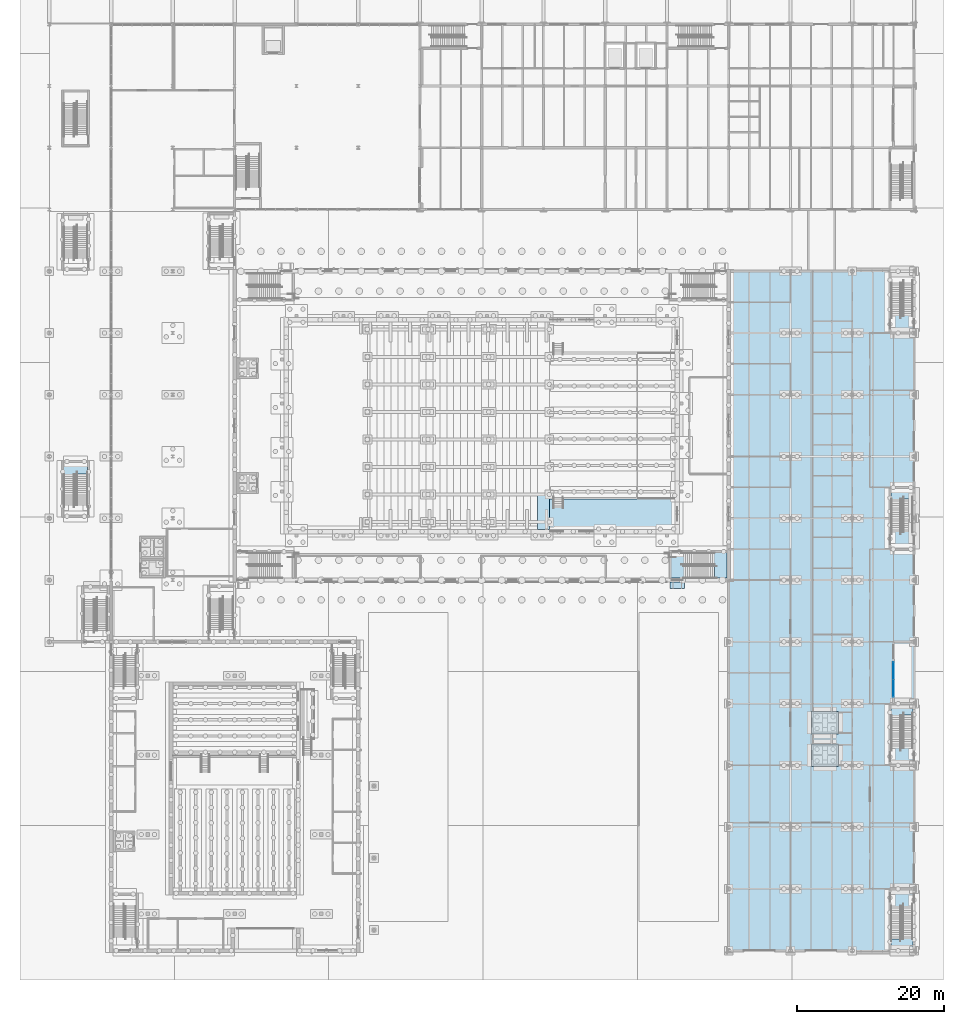
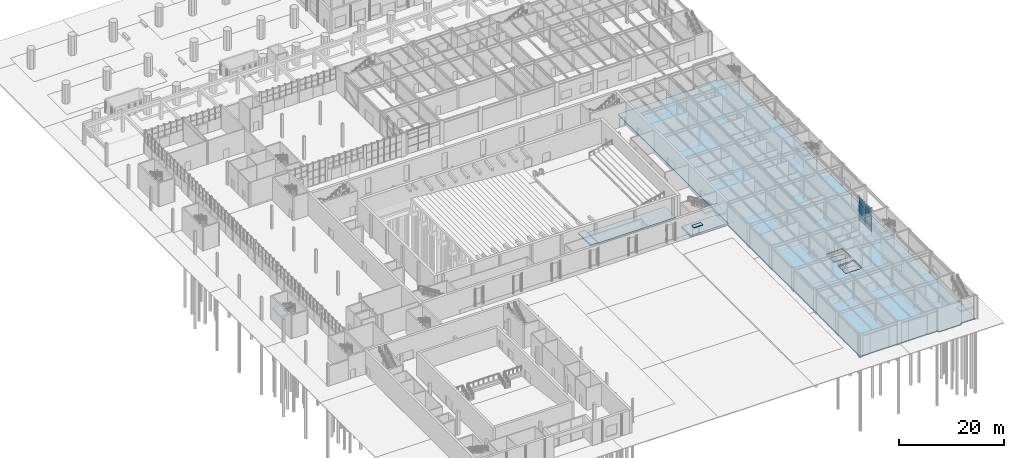
# One storey, part 48 of 127: 12 slabs, 6 plates, 6 elements without a shape of their own.
"""IFC4 building model written with IfcOpenShell, lengths in metres."""

from ifc_helpers import new_model, si_unit, direction, frame, origin, origin_2d, place, context, subcontext, project, spatial, polyline, rectangle, outline, extrude, material, layer, layer_set, type_object, element, aggregate, save


model = new_model("IFC4")

# Units and contexts
model_context = context("Model", 3, precision=1e-05, world=origin(), true_north=direction((0.0, 1.0)))
body_context = subcontext(model_context, "Body", "Model", "MODEL_VIEW")
ifc_project = project(units=[si_unit("LENGTHUNIT", "METRE"), si_unit("AREAUNIT", "SQUARE_METRE"), si_unit("VOLUMEUNIT", "CUBIC_METRE"), si_unit("PLANEANGLEUNIT", "RADIAN"), si_unit("MASSUNIT", "GRAM", prefix="KILO")], contexts=[model_context])

# Site, building, storey
site_placement = place(None, origin())
site = spatial("IfcSite", under=ifc_project, at=site_placement, CompositionType="ELEMENT")
building_placement = place(site_placement, origin())
building = spatial("IfcBuilding", under=site, at=building_placement, Name="Ljudholm Concert House", CompositionType="ELEMENT")
storey_placement = place(building_placement, origin())
storey = spatial("IfcBuildingStorey", under=building, at=storey_placement, Name="L00", CompositionType="ELEMENT", Elevation=0.0)

# Slab
ifc_material_1 = material(Name="Aluminium extrusion with warm-tone PVDF finish", Category="aluminium")
ifc_layer_1 = layer(ifc_material_1, 0.1201171875)
ifc_layer_set_1 = layer_set([ifc_layer_1], Name="Aluminium extrusion with warm-tone PVDF finish")
slab_type_1 = type_object("IfcSlabType", Name="CANOPY SOFFIT SLAB 120", PredefinedType="ROOF", material=ifc_layer_set_1)
slab_1_placement = place(storey_placement, frame((0.0, 0.0, 2.60009765625)))
element("IfcSlab", 1, at=slab_1_placement, inside=storey, type_object=slab_type_1, Name="Exit canopy lip", PredefinedType="ROOF", context=body_context, shape_type="SweptSolid", body=[
    extrude(outline(polyline([(88.39990234375, 53.25), (90.39990234375, 53.25), (90.39990234375, 54.14990234375), (88.39990234375, 54.14990234375), (88.39990234375, 53.25)])), origin(), (0.0, 0.0, 1.0), 0.119873046875),
])

# Curtain wall, plates
ifc_material_2 = material(Name="Aluminium curtain wall with impact-rated laminated glass", Category="aluminium")
curtain_wall_type = type_object("IfcCurtainWallType", Name="CURTAIN WALL 2400", PredefinedType="NOTDEFINED", material=ifc_material_2)
curtain_wall_placement = place(storey_placement, origin())
curtain_wall = element("IfcCurtainWall", 2, at=curtain_wall_placement, inside=storey, type_object=curtain_wall_type, Name="Curtain wall", PredefinedType="NOTDEFINED")
ifc_material_3 = material(Name="Impact-rated laminated glass", Category="glass")
ifc_layer_2 = layer(ifc_material_3, 0.028076171875)
ifc_layer_set_2 = layer_set([ifc_layer_2], Name="Impact-rated laminated glass")
plate_type = type_object("IfcPlateType", Name="CURTAIN PANEL 28", PredefinedType="CURTAIN_PANEL", material=ifc_layer_set_2)
plate_1_placement = place(storey_placement, frame((118.800048828125, 39.715087890625, 0.06005859375), z_axis=(0.0, 0.0, 1.0), x_axis=(0.0, 1.0, 0.0)))
plate_1 = element("IfcPlate", 3, at=plate_1_placement, type_object=plate_type, Name="Curtain wall panel", PredefinedType="CURTAIN_PANEL", context=body_context, shape_type="SweptSolid", body=[
    extrude(rectangle(XDim=2.31005859375, YDim=0.028076171875, at=origin_2d()), origin(), (0.0, 0.0, 1.0), 1.7099609375),
])
plate_2_placement = place(storey_placement, frame((118.800048828125, 39.715087890625, 1.830078125), z_axis=(0.0, 0.0, 1.0), x_axis=(0.0, 1.0, 0.0)))
plate_2 = element("IfcPlate", 4, at=plate_2_placement, type_object=plate_type, Name="Curtain wall panel", PredefinedType="CURTAIN_PANEL", context=body_context, shape_type="SweptSolid", body=[
    extrude(rectangle(XDim=2.31005859375, YDim=0.028076171875, at=origin_2d()), origin(), (0.0, 0.0, 1.0), 1.739990234375),
])
plate_3_placement = place(storey_placement, frame((118.800048828125, 39.715087890625, 3.630126953125), z_axis=(0.0, 0.0, 1.0), x_axis=(0.0, 1.0, 0.0)))
plate_3 = element("IfcPlate", 5, at=plate_3_placement, type_object=plate_type, Name="Curtain wall panel", PredefinedType="CURTAIN_PANEL", context=body_context, shape_type="SweptSolid", body=[
    extrude(rectangle(XDim=2.31005859375, YDim=0.028076171875, at=origin_2d()), origin(), (0.0, 0.0, 1.0), 1.7099609375),
])
plate_4_placement = place(storey_placement, frame((118.800048828125, 42.0849609375, 0.06005859375), z_axis=(0.0, 0.0, 1.0), x_axis=(0.0, 1.0, 0.0)))
plate_4 = element("IfcPlate", 6, at=plate_4_placement, type_object=plate_type, Name="Curtain wall panel", PredefinedType="CURTAIN_PANEL", context=body_context, shape_type="SweptSolid", body=[
    extrude(rectangle(XDim=2.31005859375, YDim=0.028076171875, at=origin_2d()), origin(), (0.0, 0.0, 1.0), 1.7099609375),
])
plate_5_placement = place(storey_placement, frame((118.800048828125, 42.0849609375, 1.830078125), z_axis=(0.0, 0.0, 1.0), x_axis=(0.0, 1.0, 0.0)))
plate_5 = element("IfcPlate", 7, at=plate_5_placement, type_object=plate_type, Name="Curtain wall panel", PredefinedType="CURTAIN_PANEL", context=body_context, shape_type="SweptSolid", body=[
    extrude(rectangle(XDim=2.31005859375, YDim=0.028076171875, at=origin_2d()), origin(), (0.0, 0.0, 1.0), 1.739990234375),
])
plate_6_placement = place(storey_placement, frame((118.800048828125, 42.0849609375, 3.630126953125), z_axis=(0.0, 0.0, 1.0), x_axis=(0.0, 1.0, 0.0)))
plate_6 = element("IfcPlate", 8, at=plate_6_placement, type_object=plate_type, Name="Curtain wall panel", PredefinedType="CURTAIN_PANEL", context=body_context, shape_type="SweptSolid", body=[
    extrude(rectangle(XDim=2.31005859375, YDim=0.028076171875, at=origin_2d()), origin(), (0.0, 0.0, 1.0), 1.7099609375),
])
aggregate(curtain_wall, [plate_1, plate_2, plate_3, plate_4, plate_5, plate_6])

# Slabs
ifc_material_4 = material(Name="Concrete 5,000 psi", Category="concrete")
ifc_layer_3 = layer(ifc_material_4, 0.25)
ifc_layer_set_3 = layer_set([ifc_layer_3], Name="Concrete 5,000 psi")
slab_type_2 = type_object("IfcSlabType", Name="RC BASE SLAB 250", PredefinedType="BASESLAB", material=ifc_layer_set_3)
slab_2_placement = place(storey_placement, frame((0.0, 0.0, -0.25)))
element("IfcSlab", 9, at=slab_2_placement, inside=storey, type_object=slab_type_2, Name="Ground floor slab", PredefinedType="BASESLAB", context=body_context, shape_type="SweptSolid", body=[
    extrude(outline(polyline([(113.389892578125, 3.5703125), (113.389892578125, 4.0), (96.39990234375, 4.0), (96.39990234375, 54.39990234375), (96.64990234375, 54.39990234375), (96.64990234375, 96.39990234375), (113.389892578125, 96.39990234375), (113.389892578125, 96.82958984375), (118.324951171875, 96.82958984375), (118.324951171875, 96.39990234375), (121.60009765625, 96.39990234375), (121.60009765625, 4.0), (118.324951171875, 4.0), (118.324951171875, 3.5703125), (113.389892578125, 3.5703125)]), holes=[polyline([(107.675048828125, 29.074951171875), (111.324951171875, 29.074951171875), (111.324951171875, 32.125), (107.675048828125, 32.125), (107.675048828125, 29.074951171875)]), polyline([(107.675048828125, 33.47509765625), (111.324951171875, 33.47509765625), (111.324951171875, 36.52490234375), (107.675048828125, 36.52490234375), (107.675048828125, 33.47509765625)])]), origin(), (0.0, 0.0, 1.0), 0.25),
])
ifc_material_5 = material(Name="Concrete 5,000 psi", Category="concrete")
ifc_layer_4 = layer(ifc_material_5, 0.300048828125)
ifc_layer_set_4 = layer_set([ifc_layer_4], Name="Concrete 5,000 psi")
slab_type_3 = type_object("IfcSlabType", Name="RC BASE SLAB 300", PredefinedType="BASESLAB", material=ifc_layer_set_4)
slab_3_placement = place(storey_placement, frame((0.0, 0.0, -1.5)))
element("IfcSlab", 10, at=slab_3_placement, inside=storey, type_object=slab_type_3, Name="Lift pit slab", PredefinedType="BASESLAB", context=body_context, shape_type="SweptSolid", body=[
    extrude(outline(polyline([(107.675048828125, 29.074951171875), (111.324951171875, 29.074951171875), (111.324951171875, 32.125), (107.675048828125, 32.125), (107.675048828125, 29.074951171875)])), origin(), (0.0, 0.0, 1.0), 0.300048828125),
])
slab_4_placement = place(storey_placement, frame((0.0, 0.0, -1.5)))
element("IfcSlab", 11, at=slab_4_placement, inside=storey, type_object=slab_type_3, Name="Lift pit slab", PredefinedType="BASESLAB", context=body_context, shape_type="SweptSolid", body=[
    extrude(outline(polyline([(107.675048828125, 33.47509765625), (111.324951171875, 33.47509765625), (111.324951171875, 36.52490234375), (107.675048828125, 36.52490234375), (107.675048828125, 33.47509765625)])), origin(), (0.0, 0.0, 1.0), 0.300048828125),
])
ifc_material_6 = material(Name="Concrete 5,000 psi", Category="concrete")
ifc_layer_5 = layer(ifc_material_6, 0.5)
ifc_layer_set_5 = layer_set([ifc_layer_5], Name="Concrete 5,000 psi")
slab_type_4 = type_object("IfcSlabType", Name="RC BASE SLAB 500", PredefinedType="BASESLAB", material=ifc_layer_set_5)
slab_5_placement = place(storey_placement, frame((0.0, 0.0, -0.5)))
element("IfcSlab", 12, at=slab_5_placement, inside=storey, type_object=slab_type_4, Name="Stair floor on grade EH3", PredefinedType="BASESLAB", context=body_context, shape_type="SweptSolid", body=[
    extrude(outline(polyline([(88.550048828125, 54.64990234375), (96.14990234375, 54.64990234375), (96.14990234375, 58.14990234375), (88.550048828125, 58.14990234375), (88.550048828125, 54.64990234375)])), origin(), (0.0, 0.0, 1.0), 0.5),
])
ifc_material_7 = material(Name="Concrete 5,000 psi", Category="concrete")
ifc_layer_6 = layer(ifc_material_7, 0.300048828125)
ifc_layer_set_6 = layer_set([ifc_layer_6], Name="Concrete 5,000 psi")
slab_type_5 = type_object("IfcSlabType", Name="RC FLOOR SLAB 300", PredefinedType="FLOOR", material=ifc_layer_set_6)
slab_6_placement = place(storey_placement, frame((0.0, 0.0, -0.300048828125)))
element("IfcSlab", 13, at=slab_6_placement, inside=storey, type_object=slab_type_5, Name="Stage wing floor", PredefinedType="FLOOR", context=body_context, shape_type="SweptSolid", body=[
    extrude(outline(polyline([(72.0, 61.300048828125), (89.10009765625, 61.300048828125), (89.10009765625, 65.39990234375), (72.0, 65.39990234375), (72.0, 61.300048828125)])), origin(), (0.0, 0.0, 1.0), 0.300048828125),
])
slab_7_placement = place(storey_placement, frame((0.0, 0.0, -0.18359375)))
element("IfcSlab", 14, at=slab_7_placement, inside=storey, type_object=slab_type_5, Name="Wheelchair platform", PredefinedType="FLOOR", context=body_context, shape_type="SweptSolid", body=[
    extrude(outline(polyline([(70.39990234375, 61.300048828125), (72.0, 61.300048828125), (72.0, 66.10009765625), (70.39990234375, 66.10009765625), (70.39990234375, 61.300048828125)])), origin(), (0.0, 0.0, 1.0), 0.300048828125),
])

# Stair, slab
ifc_material_8 = material(Name="Concrete 5,000 psi", Category="concrete")
stair_type_1 = type_object("IfcStairType", Name="RC STAIR 1700x169x280", PredefinedType="HALF_TURN_STAIR", material=ifc_material_8)
stair_1_placement = place(storey_placement, origin())
stair_1 = element("IfcStair", 15, at=stair_1_placement, inside=storey, type_object=stair_type_1, Name="Exit stair EH3", PredefinedType="HALF_TURN_STAIR")
ifc_material_9 = material(Name="Concrete 5,000 psi", Category="concrete")
ifc_layer_7 = layer(ifc_material_9, 0.409912109375)
ifc_layer_set_7 = layer_set([ifc_layer_7], Name="Concrete 5,000 psi")
slab_type_6 = type_object("IfcSlabType", Name="RC LANDING 410", PredefinedType="LANDING", material=ifc_layer_set_7)
slab_8_placement = place(storey_placement, frame((0.0, 0.0, 2.2900390625)))
slab_8 = element("IfcSlab", 16, at=slab_8_placement, type_object=slab_type_6, Name="Stair landing", PredefinedType="LANDING", context=body_context, shape_type="SweptSolid", body=[
    extrude(outline(polyline([(92.6201171875, 58.14990234375), (92.6201171875, 56.449951171875), (94.449462890625, 56.449951171875), (94.449462890625, 54.64990234375), (96.14990234375, 54.64990234375), (96.14990234375, 58.14990234375), (92.6201171875, 58.14990234375)])), origin(), (0.0, 0.0, 1.0), 0.409912109375),
])
aggregate(stair_1, [slab_8])

ifc_material_10 = material(Name="Concrete 5,000 psi", Category="concrete")
stair_type_2 = type_object("IfcStairType", Name="RC STAIR 1350x169x300", PredefinedType="HALF_TURN_STAIR", material=ifc_material_10)
stair_2_placement = place(storey_placement, origin())
stair_2 = element("IfcStair", 17, at=stair_2_placement, inside=storey, type_object=stair_type_2, Name="Stair SB1", PredefinedType="HALF_TURN_STAIR")
slab_9_placement = place(storey_placement, frame((0.0, 0.0, 2.2900390625)))
slab_9 = element("IfcSlab", 18, at=slab_9_placement, type_object=slab_type_6, Name="Stair landing", PredefinedType="LANDING", context=body_context, shape_type="SweptSolid", body=[
    extrude(outline(polyline([(121.449951171875, 7.52490234375), (120.050048828125, 7.52490234375), (120.050048828125, 5.575439453125), (118.449951171875, 5.575439453125), (118.449951171875, 4.14990234375), (121.449951171875, 4.14990234375), (121.449951171875, 7.52490234375)])), origin(), (0.0, 0.0, 1.0), 0.409912109375),
])
aggregate(stair_2, [slab_9])

stair_3_placement = place(storey_placement, origin())
stair_3 = element("IfcStair", 19, at=stair_3_placement, inside=storey, type_object=stair_type_2, Name="Stair SB2", PredefinedType="HALF_TURN_STAIR")
slab_10_placement = place(storey_placement, frame((0.0, 0.0, 2.2900390625)))
slab_10 = element("IfcSlab", 20, at=slab_10_placement, type_object=slab_type_6, Name="Stair landing", PredefinedType="LANDING", context=body_context, shape_type="SweptSolid", body=[
    extrude(outline(polyline([(118.449951171875, 34.074951171875), (119.85009765625, 34.074951171875), (119.85009765625, 36.0244140625), (121.449951171875, 36.0244140625), (121.449951171875, 37.47509765625), (118.449951171875, 37.47509765625), (118.449951171875, 34.074951171875)])), origin(), (0.0, 0.0, 1.0), 0.409912109375),
])
aggregate(stair_3, [slab_10])

stair_4_placement = place(storey_placement, origin())
stair_4 = element("IfcStair", 21, at=stair_4_placement, inside=storey, type_object=stair_type_2, Name="Stair SB3", PredefinedType="HALF_TURN_STAIR")
slab_11_placement = place(storey_placement, frame((0.0, 0.0, 2.2900390625)))
slab_11 = element("IfcSlab", 22, at=slab_11_placement, type_object=slab_type_6, Name="Stair landing", PredefinedType="LANDING", context=body_context, shape_type="SweptSolid", body=[
    extrude(outline(polyline([(118.449951171875, 63.47509765625), (119.85009765625, 63.47509765625), (119.85009765625, 65.424560546875), (121.449951171875, 65.424560546875), (121.449951171875, 66.875), (118.449951171875, 66.875), (118.449951171875, 63.47509765625)])), origin(), (0.0, 0.0, 1.0), 0.409912109375),
])
aggregate(stair_4, [slab_11])

ifc_material_11 = material(Name="Concrete 5,000 psi", Category="concrete")
stair_type_3 = type_object("IfcStairType", Name="RC STAIR 1500x169x280", PredefinedType="HALF_TURN_STAIR", material=ifc_material_11)
stair_5_placement = place(storey_placement, origin())
stair_5 = element("IfcStair", 23, at=stair_5_placement, inside=storey, type_object=stair_type_3, Name="Stair", PredefinedType="HALF_TURN_STAIR")
slab_12_placement = place(storey_placement, frame((0.0, 0.0, 2.2900390625)))
slab_12 = element("IfcSlab", 24, at=slab_12_placement, type_object=slab_type_6, Name="Stair landing", PredefinedType="LANDING", context=body_context, shape_type="SweptSolid", body=[
    extrude(outline(polyline([(5.949951171875, 66.969970703125), (7.449951171875, 66.969970703125), (7.449951171875, 68.799560546875), (9.199951171875, 68.799560546875), (9.199951171875, 70.39990234375), (5.949951171875, 70.39990234375), (5.949951171875, 66.969970703125)])), origin(), (0.0, 0.0, 1.0), 0.409912109375),
])
aggregate(stair_5, [slab_12])

save(model, "model.ifc")
